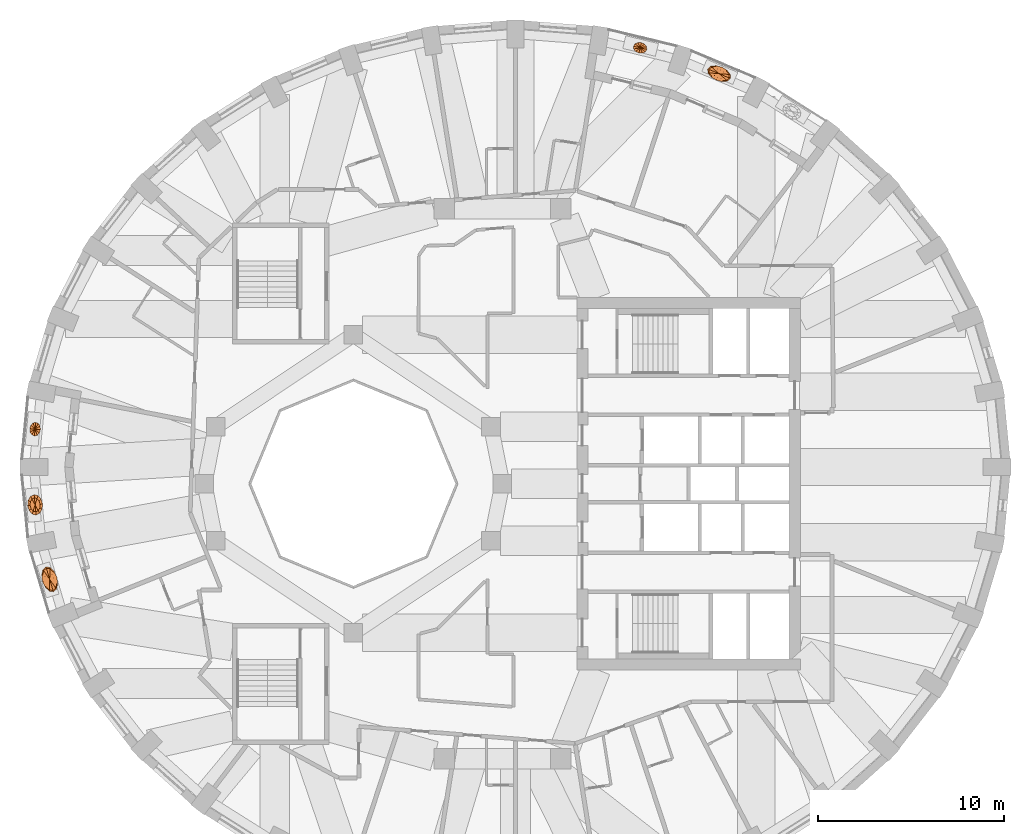
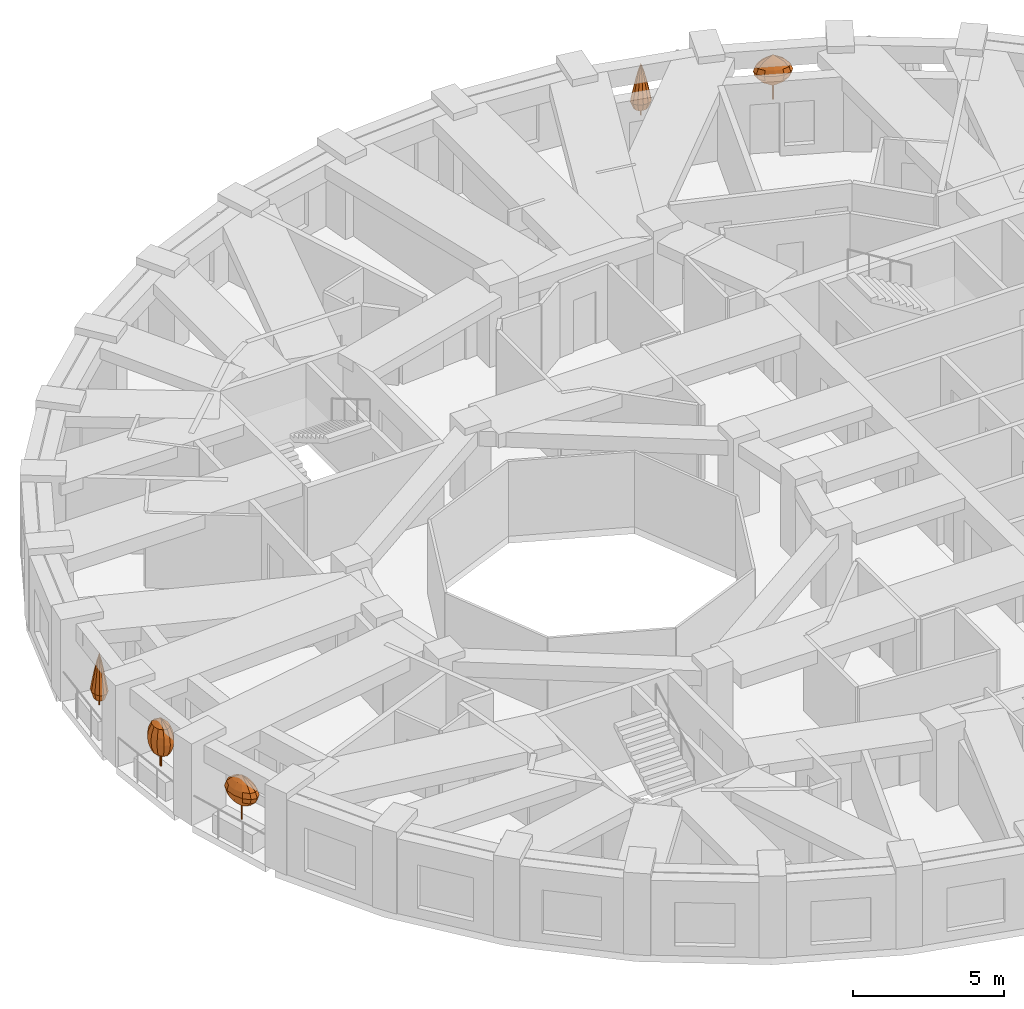
# One storey, part 11 of 12: 5 geographic elements.
"""IFC4 building model written with IfcOpenShell, lengths in metres."""

from ifc_helpers import new_model, si_unit, direction, frame, origin, place, context, subcontext, project, spatial, faceted_brep, material, constituent, constituent_set, type_object, element, save


model = new_model("IFC4")

# Units and contexts
model_context = context("Model", 3, precision=1e-05, world=origin(), true_north=direction((0.0, 1.0)))
body_context = subcontext(model_context, "Body", "Model", "MODEL_VIEW")
ifc_project = project(units=[si_unit("LENGTHUNIT", "METRE"), si_unit("AREAUNIT", "SQUARE_METRE"), si_unit("VOLUMEUNIT", "CUBIC_METRE"), si_unit("PLANEANGLEUNIT", "RADIAN"), si_unit("MASSUNIT", "GRAM", prefix="KILO")], contexts=[model_context])

# Site, building, storey
site_placement = place(None, origin())
site = spatial("IfcSite", under=ifc_project, at=site_placement, CompositionType="ELEMENT")
building_placement = place(site_placement, origin())
building = spatial("IfcBuilding", under=site, at=building_placement, Name="Taillehof Tower", CompositionType="ELEMENT")
storey_placement = place(building_placement, frame((0.0, 0.0, 189.199951171875)))
storey = spatial("IfcBuildingStorey", under=building, at=storey_placement, Name="L53", CompositionType="ELEMENT", Elevation=189.199951171875)

# Geographic elements
ifc_material_1 = material(Name="Tree bark", Category="timber")
ifc_constituent_1 = constituent(ifc_material_1, Name="Trunk", Category="timber")
ifc_material_2 = material(Name="Tree foliage")
ifc_constituent_2 = constituent(ifc_material_2, Name="Crown")
ifc_constituent_set_1 = constituent_set(constituents=[ifc_constituent_1, ifc_constituent_2], Name="Tree TR2 Fastigiate yew")
geographic_element_type_1 = type_object("IfcGeographicElementType", Name="Tree TR2 Fastigiate yew", PredefinedType="USERDEFINED", material=ifc_constituent_set_1)
geographic_element_1_placement = place(storey_placement, frame((-25.089599609375, -1.131591796875, 0.75)))
element("IfcGeographicElement", 1, at=geographic_element_1_placement, inside=storey, type_object=geographic_element_type_1, Name="Tree TR2 Fastigiate yew", ObjectType="TREE", PredefinedType="USERDEFINED", context=body_context, shape_type="Brep", body=[
    faceted_brep([(0.034912109375, 0.0, 0.0), (0.024658203125, 0.024658203125, 0.0), (0.024658203125, 0.024658203125, 0.909912109375), (0.034912109375, 0.0, 0.909912109375), (0.0, 0.034912109375, 0.0), (0.0, 0.034912109375, 0.909912109375), (-0.024658203125, 0.024658203125, 0.0), (-0.024658203125, 0.024658203125, 0.909912109375), (-0.034912109375, 0.0, 0.0), (-0.034912109375, 0.0, 0.909912109375), (-0.024658203125, -0.024658203125, 0.0), (-0.024658203125, -0.024658203125, 0.909912109375), (0.0, -0.034912109375, 0.0), (0.0, -0.034912109375, 0.909912109375), (0.024658203125, -0.024658203125, 0.0), (0.024658203125, -0.024658203125, 0.909912109375)], [[[0, 1, 2, 3]], [[1, 4, 5, 2]], [[4, 6, 7, 5]], [[6, 8, 9, 7]], [[8, 10, 11, 9]], [[10, 12, 13, 11]], [[12, 14, 15, 13]], [[14, 0, 3, 15]], [[14, 12, 10, 8, 6, 4, 1, 0]], [[3, 2, 5, 7, 9, 11, 13, 15]]]),
    faceted_brep([(0.0, 0.0, 0.35009765625), (0.16748046875, -0.310546875, 0.61669921875), (0.036376953125, -0.373779296875, 0.61669921875), (0.253662109375, -0.1640625, 0.61669921875), (0.27197265625, 0.0263671875, 0.61669921875), (0.21728515625, 0.2099609375, 0.61669921875), (0.1044921875, 0.3369140625, 0.61669921875), (-0.036376953125, 0.373779296875, 0.61669921875), (-0.16748046875, 0.310546875, 0.61669921875), (-0.253662109375, 0.1640625, 0.61669921875), (-0.27197265625, -0.0263671875, 0.61669921875), (-0.21728515625, -0.2099609375, 0.61669921875), (-0.1044921875, -0.3369140625, 0.61669921875), (0.2265625, -0.420166015625, 0.88330078125), (0.049072265625, -0.505859375, 0.88330078125), (0.34326171875, -0.221923828125, 0.88330078125), (0.367919921875, 0.035888671875, 0.88330078125), (0.2939453125, 0.283935546875, 0.88330078125), (0.141357421875, 0.455810546875, 0.88330078125), (-0.049072265625, 0.505859375, 0.88330078125), (-0.2265625, 0.420166015625, 0.88330078125), (-0.34326171875, 0.221923828125, 0.88330078125), (-0.367919921875, -0.035888671875, 0.88330078125), (-0.2939453125, -0.283935546875, 0.88330078125), (-0.141357421875, -0.455810546875, 0.88330078125), (0.2451171875, -0.454833984375, 1.14990234375), (0.05322265625, -0.54736328125, 1.14990234375), (0.371337890625, -0.240234375, 1.14990234375), (0.398193359375, 0.038818359375, 1.14990234375), (0.318115234375, 0.30712890625, 1.14990234375), (0.15283203125, 0.493408203125, 1.14990234375), (-0.05322265625, 0.54736328125, 1.14990234375), (-0.2451171875, 0.454833984375, 1.14990234375), (-0.371337890625, 0.240234375, 1.14990234375), (-0.398193359375, -0.038818359375, 1.14990234375), (-0.318115234375, -0.30712890625, 1.14990234375), (-0.15283203125, -0.493408203125, 1.14990234375), (0.2265625, -0.420166015625, 1.416748046875), (0.049072265625, -0.505859375, 1.416748046875), (0.34326171875, -0.221923828125, 1.416748046875), (0.367919921875, 0.035888671875, 1.416748046875), (0.2939453125, 0.283935546875, 1.416748046875), (0.141357421875, 0.455810546875, 1.416748046875), (-0.049072265625, 0.505859375, 1.416748046875), (-0.2265625, 0.420166015625, 1.416748046875), (-0.34326171875, 0.221923828125, 1.416748046875), (-0.367919921875, -0.035888671875, 1.416748046875), (-0.2939453125, -0.283935546875, 1.416748046875), (-0.141357421875, -0.455810546875, 1.416748046875), (0.16748046875, -0.310546875, 1.683349609375), (0.036376953125, -0.373779296875, 1.683349609375), (0.253662109375, -0.1640625, 1.683349609375), (0.27197265625, 0.0263671875, 1.683349609375), (0.21728515625, 0.2099609375, 1.683349609375), (0.1044921875, 0.3369140625, 1.683349609375), (-0.036376953125, 0.373779296875, 1.683349609375), (-0.16748046875, 0.310546875, 1.683349609375), (-0.253662109375, 0.1640625, 1.683349609375), (-0.27197265625, -0.0263671875, 1.683349609375), (-0.21728515625, -0.2099609375, 1.683349609375), (-0.1044921875, -0.3369140625, 1.683349609375), (0.0, 0.0, 1.949951171875)], [[[0, 1, 2]], [[0, 3, 1]], [[0, 4, 3]], [[0, 5, 4]], [[0, 6, 5]], [[0, 7, 6]], [[0, 8, 7]], [[0, 9, 8]], [[0, 10, 9]], [[0, 11, 10]], [[0, 12, 11]], [[0, 2, 12]], [[2, 1, 13, 14]], [[1, 3, 15, 13]], [[3, 4, 16, 15]], [[4, 5, 17, 16]], [[5, 6, 18, 17]], [[6, 7, 19, 18]], [[7, 8, 20, 19]], [[8, 9, 21, 20]], [[9, 10, 22, 21]], [[10, 11, 23, 22]], [[11, 12, 24, 23]], [[12, 2, 14, 24]], [[14, 13, 25, 26]], [[13, 15, 27, 25]], [[15, 16, 28, 27]], [[16, 17, 29, 28]], [[17, 18, 30, 29]], [[18, 19, 31, 30]], [[19, 20, 32, 31]], [[20, 21, 33, 32]], [[21, 22, 34, 33]], [[22, 23, 35, 34]], [[23, 24, 36, 35]], [[24, 14, 26, 36]], [[26, 25, 37, 38]], [[25, 27, 39, 37]], [[27, 28, 40, 39]], [[28, 29, 41, 40]], [[29, 30, 42, 41]], [[30, 31, 43, 42]], [[31, 32, 44, 43]], [[32, 33, 45, 44]], [[33, 34, 46, 45]], [[34, 35, 47, 46]], [[35, 36, 48, 47]], [[36, 26, 38, 48]], [[38, 37, 49, 50]], [[37, 39, 51, 49]], [[39, 40, 52, 51]], [[40, 41, 53, 52]], [[41, 42, 54, 53]], [[42, 43, 55, 54]], [[43, 44, 56, 55]], [[44, 45, 57, 56]], [[45, 46, 58, 57]], [[46, 47, 59, 58]], [[47, 48, 60, 59]], [[48, 38, 50, 60]], [[50, 49, 61]], [[49, 51, 61]], [[51, 52, 61]], [[52, 53, 61]], [[53, 54, 61]], [[54, 55, 61]], [[55, 56, 61]], [[56, 57, 61]], [[57, 58, 61]], [[58, 59, 61]], [[59, 60, 61]], [[60, 50, 61]]]),
])
ifc_material_3 = material(Name="Tree bark", Category="timber")
ifc_constituent_3 = constituent(ifc_material_3, Name="Trunk", Category="timber")
ifc_material_4 = material(Name="Tree foliage")
ifc_constituent_4 = constituent(ifc_material_4, Name="Crown")
ifc_constituent_set_2 = constituent_set(constituents=[ifc_constituent_3, ifc_constituent_4], Name="Tree TR4 Sea buckthorn standard")
geographic_element_type_2 = type_object("IfcGeographicElementType", Name="Tree TR4 Sea buckthorn standard", PredefinedType="USERDEFINED", material=ifc_constituent_set_2)
geographic_element_2_placement = place(storey_placement, frame((11.63720703125, 22.017822265625, 0.75)))
element("IfcGeographicElement", 2, at=geographic_element_2_placement, inside=storey, type_object=geographic_element_type_2, Name="Tree TR4 Sea buckthorn standard", ObjectType="TREE", PredefinedType="USERDEFINED", context=body_context, shape_type="Brep", body=[
    faceted_brep([(0.030029296875, 0.0, 0.0), (0.021240234375, 0.021240234375, 0.0), (0.021240234375, 0.021240234375, 0.98095703125), (0.030029296875, 0.0, 0.98095703125), (0.0, 0.030029296875, 0.0), (0.0, 0.030029296875, 0.98095703125), (-0.021240234375, 0.021240234375, 0.0), (-0.021240234375, 0.021240234375, 0.98095703125), (-0.030029296875, 0.0, 0.0), (-0.030029296875, 0.0, 0.98095703125), (-0.021240234375, -0.021240234375, 0.0), (-0.021240234375, -0.021240234375, 0.98095703125), (0.0, -0.030029296875, 0.0), (0.0, -0.030029296875, 0.98095703125), (0.021240234375, -0.021240234375, 0.0), (0.021240234375, -0.021240234375, 0.98095703125)], [[[0, 1, 2, 3]], [[1, 4, 5, 2]], [[4, 6, 7, 5]], [[6, 8, 9, 7]], [[8, 10, 11, 9]], [[10, 12, 13, 11]], [[12, 14, 15, 13]], [[14, 0, 3, 15]], [[14, 12, 10, 8, 6, 4, 1, 0]], [[3, 2, 5, 7, 9, 11, 13, 15]]]),
    faceted_brep([(0.0, 0.0, 0.5400390625), (-0.34716796875, 0.02734375, 0.75), (-0.352294921875, 0.147705078125, 0.75), (-0.249267578125, -0.100341796875, 0.75), (-0.08447265625, -0.201171875, 0.75), (0.10302734375, -0.248046875, 0.75), (0.2626953125, -0.228515625, 0.75), (0.352294921875, -0.147705078125, 0.75), (0.34716796875, -0.02734375, 0.75), (0.249267578125, 0.100341796875, 0.75), (0.08447265625, 0.201171875, 0.75), (-0.10302734375, 0.248046875, 0.75), (-0.2626953125, 0.228515625, 0.75), (-0.538818359375, 0.04248046875, 0.9599609375), (-0.546630859375, 0.229248046875, 0.9599609375), (-0.38671875, -0.15576171875, 0.9599609375), (-0.131103515625, -0.312255859375, 0.9599609375), (0.159912109375, -0.385009765625, 0.9599609375), (0.407958984375, -0.354736328125, 0.9599609375), (0.546630859375, -0.229248046875, 0.9599609375), (0.538818359375, -0.04248046875, 0.9599609375), (0.38671875, 0.15576171875, 0.9599609375), (0.131103515625, 0.312255859375, 0.9599609375), (-0.159912109375, 0.385009765625, 0.9599609375), (-0.407958984375, 0.354736328125, 0.9599609375), (-0.6044921875, 0.047607421875, 1.169921875), (-0.61328125, 0.25732421875, 1.169921875), (-0.433837890625, -0.1748046875, 1.169921875), (-0.14697265625, -0.350341796875, 1.169921875), (0.179443359375, -0.43212890625, 1.169921875), (0.45751953125, -0.39794921875, 1.169921875), (0.61328125, -0.25732421875, 1.169921875), (0.6044921875, -0.047607421875, 1.169921875), (0.433837890625, 0.1748046875, 1.169921875), (0.14697265625, 0.350341796875, 1.169921875), (-0.179443359375, 0.43212890625, 1.169921875), (-0.45751953125, 0.39794921875, 1.169921875), (-0.538818359375, 0.04248046875, 1.3798828125), (-0.546630859375, 0.229248046875, 1.3798828125), (-0.38671875, -0.15576171875, 1.3798828125), (-0.131103515625, -0.312255859375, 1.3798828125), (0.159912109375, -0.385009765625, 1.3798828125), (0.407958984375, -0.354736328125, 1.3798828125), (0.546630859375, -0.229248046875, 1.3798828125), (0.538818359375, -0.04248046875, 1.3798828125), (0.38671875, 0.15576171875, 1.3798828125), (0.131103515625, 0.312255859375, 1.3798828125), (-0.159912109375, 0.385009765625, 1.3798828125), (-0.407958984375, 0.354736328125, 1.3798828125), (-0.34716796875, 0.02734375, 1.590087890625), (-0.352294921875, 0.147705078125, 1.590087890625), (-0.249267578125, -0.100341796875, 1.590087890625), (-0.08447265625, -0.201171875, 1.590087890625), (0.10302734375, -0.248046875, 1.590087890625), (0.2626953125, -0.228515625, 1.590087890625), (0.352294921875, -0.147705078125, 1.590087890625), (0.34716796875, -0.02734375, 1.590087890625), (0.249267578125, 0.100341796875, 1.590087890625), (0.08447265625, 0.201171875, 1.590087890625), (-0.10302734375, 0.248046875, 1.590087890625), (-0.2626953125, 0.228515625, 1.590087890625), (0.0, 0.0, 1.800048828125)], [[[0, 1, 2]], [[0, 3, 1]], [[0, 4, 3]], [[0, 5, 4]], [[0, 6, 5]], [[0, 7, 6]], [[0, 8, 7]], [[0, 9, 8]], [[0, 10, 9]], [[0, 11, 10]], [[0, 12, 11]], [[0, 2, 12]], [[2, 1, 13, 14]], [[1, 3, 15, 13]], [[3, 4, 16, 15]], [[4, 5, 17, 16]], [[5, 6, 18, 17]], [[6, 7, 19, 18]], [[7, 8, 20, 19]], [[8, 9, 21, 20]], [[9, 10, 22, 21]], [[10, 11, 23, 22]], [[11, 12, 24, 23]], [[12, 2, 14, 24]], [[14, 13, 25, 26]], [[13, 15, 27, 25]], [[15, 16, 28, 27]], [[16, 17, 29, 28]], [[17, 18, 30, 29]], [[18, 19, 31, 30]], [[19, 20, 32, 31]], [[20, 21, 33, 32]], [[21, 22, 34, 33]], [[22, 23, 35, 34]], [[23, 24, 36, 35]], [[24, 14, 26, 36]], [[26, 25, 37, 38]], [[25, 27, 39, 37]], [[27, 28, 40, 39]], [[28, 29, 41, 40]], [[29, 30, 42, 41]], [[30, 31, 43, 42]], [[31, 32, 44, 43]], [[32, 33, 45, 44]], [[33, 34, 46, 45]], [[34, 35, 47, 46]], [[35, 36, 48, 47]], [[36, 26, 38, 48]], [[38, 37, 49, 50]], [[37, 39, 51, 49]], [[39, 40, 52, 51]], [[40, 41, 53, 52]], [[41, 42, 54, 53]], [[42, 43, 55, 54]], [[43, 44, 56, 55]], [[44, 45, 57, 56]], [[45, 46, 58, 57]], [[46, 47, 59, 58]], [[47, 48, 60, 59]], [[48, 38, 50, 60]], [[50, 49, 61]], [[49, 51, 61]], [[51, 52, 61]], [[52, 53, 61]], [[53, 54, 61]], [[54, 55, 61]], [[55, 56, 61]], [[56, 57, 61]], [[57, 58, 61]], [[58, 59, 61]], [[59, 60, 61]], [[60, 50, 61]]]),
])
geographic_element_3_placement = place(storey_placement, frame((-24.305419921875, -5.1328125, 0.75)))
element("IfcGeographicElement", 3, at=geographic_element_3_placement, inside=storey, type_object=geographic_element_type_2, Name="Tree TR4 Sea buckthorn standard", ObjectType="TREE", PredefinedType="USERDEFINED", context=body_context, shape_type="Brep", body=[
    faceted_brep([(0.030029296875, 0.0, 0.0), (0.021240234375, 0.021240234375, 0.0), (0.021240234375, 0.021240234375, 0.98095703125), (0.030029296875, 0.0, 0.98095703125), (0.0, 0.030029296875, 0.0), (0.0, 0.030029296875, 0.98095703125), (-0.021240234375, 0.021240234375, 0.0), (-0.021240234375, 0.021240234375, 0.98095703125), (-0.030029296875, 0.0, 0.0), (-0.030029296875, 0.0, 0.98095703125), (-0.021240234375, -0.021240234375, 0.0), (-0.021240234375, -0.021240234375, 0.98095703125), (0.0, -0.030029296875, 0.0), (0.0, -0.030029296875, 0.98095703125), (0.021240234375, -0.021240234375, 0.0), (0.021240234375, -0.021240234375, 0.98095703125)], [[[0, 1, 2, 3]], [[1, 4, 5, 2]], [[4, 6, 7, 5]], [[6, 8, 9, 7]], [[8, 10, 11, 9]], [[10, 12, 13, 11]], [[12, 14, 15, 13]], [[14, 0, 3, 15]], [[14, 12, 10, 8, 6, 4, 1, 0]], [[3, 2, 5, 7, 9, 11, 13, 15]]]),
    faceted_brep([(0.0, 0.0, 0.5400390625), (0.20947265625, -0.30078125, 0.75), (0.11474609375, -0.38525390625, 0.75), (0.248046875, -0.1357421875, 0.75), (0.22021484375, 0.065673828125, 0.75), (0.13330078125, 0.24951171875, 0.75), (0.0107421875, 0.366455078125, 0.75), (-0.11474609375, 0.38525390625, 0.75), (-0.20947265625, 0.30078125, 0.75), (-0.248046875, 0.1357421875, 0.75), (-0.22021484375, -0.065673828125, 0.75), (-0.13330078125, -0.24951171875, 0.75), (-0.0107421875, -0.366455078125, 0.75), (0.3251953125, -0.467041015625, 0.9599609375), (0.17822265625, -0.597900390625, 0.9599609375), (0.385009765625, -0.2109375, 0.9599609375), (0.341796875, 0.101806640625, 0.9599609375), (0.206787109375, 0.38720703125, 0.9599609375), (0.0166015625, 0.56884765625, 0.9599609375), (-0.17822265625, 0.597900390625, 0.9599609375), (-0.3251953125, 0.467041015625, 0.9599609375), (-0.385009765625, 0.2109375, 0.9599609375), (-0.341796875, -0.101806640625, 0.9599609375), (-0.206787109375, -0.38720703125, 0.9599609375), (-0.0166015625, -0.56884765625, 0.9599609375), (0.36474609375, -0.52392578125, 1.169921875), (0.199951171875, -0.6708984375, 1.169921875), (0.431884765625, -0.236572265625, 1.169921875), (0.38330078125, 0.1142578125, 1.169921875), (0.232177734375, 0.434326171875, 1.169921875), (0.0185546875, 0.63818359375, 1.169921875), (-0.199951171875, 0.6708984375, 1.169921875), (-0.36474609375, 0.52392578125, 1.169921875), (-0.431884765625, 0.236572265625, 1.169921875), (-0.38330078125, -0.1142578125, 1.169921875), (-0.232177734375, -0.434326171875, 1.169921875), (-0.0185546875, -0.63818359375, 1.169921875), (0.3251953125, -0.467041015625, 1.3798828125), (0.17822265625, -0.597900390625, 1.3798828125), (0.385009765625, -0.2109375, 1.3798828125), (0.341796875, 0.101806640625, 1.3798828125), (0.206787109375, 0.38720703125, 1.3798828125), (0.0166015625, 0.56884765625, 1.3798828125), (-0.17822265625, 0.597900390625, 1.3798828125), (-0.3251953125, 0.467041015625, 1.3798828125), (-0.385009765625, 0.2109375, 1.3798828125), (-0.341796875, -0.101806640625, 1.3798828125), (-0.206787109375, -0.38720703125, 1.3798828125), (-0.0166015625, -0.56884765625, 1.3798828125), (0.20947265625, -0.30078125, 1.590087890625), (0.11474609375, -0.38525390625, 1.590087890625), (0.248046875, -0.1357421875, 1.590087890625), (0.22021484375, 0.065673828125, 1.590087890625), (0.13330078125, 0.24951171875, 1.590087890625), (0.0107421875, 0.366455078125, 1.590087890625), (-0.11474609375, 0.38525390625, 1.590087890625), (-0.20947265625, 0.30078125, 1.590087890625), (-0.248046875, 0.1357421875, 1.590087890625), (-0.22021484375, -0.065673828125, 1.590087890625), (-0.13330078125, -0.24951171875, 1.590087890625), (-0.0107421875, -0.366455078125, 1.590087890625), (0.0, 0.0, 1.800048828125)], [[[0, 1, 2]], [[0, 3, 1]], [[0, 4, 3]], [[0, 5, 4]], [[0, 6, 5]], [[0, 7, 6]], [[0, 8, 7]], [[0, 9, 8]], [[0, 10, 9]], [[0, 11, 10]], [[0, 12, 11]], [[0, 2, 12]], [[2, 1, 13, 14]], [[1, 3, 15, 13]], [[3, 4, 16, 15]], [[4, 5, 17, 16]], [[5, 6, 18, 17]], [[6, 7, 19, 18]], [[7, 8, 20, 19]], [[8, 9, 21, 20]], [[9, 10, 22, 21]], [[10, 11, 23, 22]], [[11, 12, 24, 23]], [[12, 2, 14, 24]], [[14, 13, 25, 26]], [[13, 15, 27, 25]], [[15, 16, 28, 27]], [[16, 17, 29, 28]], [[17, 18, 30, 29]], [[18, 19, 31, 30]], [[19, 20, 32, 31]], [[20, 21, 33, 32]], [[21, 22, 34, 33]], [[22, 23, 35, 34]], [[23, 24, 36, 35]], [[24, 14, 26, 36]], [[26, 25, 37, 38]], [[25, 27, 39, 37]], [[27, 28, 40, 39]], [[28, 29, 41, 40]], [[29, 30, 42, 41]], [[30, 31, 43, 42]], [[31, 32, 44, 43]], [[32, 33, 45, 44]], [[33, 34, 46, 45]], [[34, 35, 47, 46]], [[35, 36, 48, 47]], [[36, 26, 38, 48]], [[38, 37, 49, 50]], [[37, 39, 51, 49]], [[39, 40, 52, 51]], [[40, 41, 53, 52]], [[41, 42, 54, 53]], [[42, 43, 55, 54]], [[43, 44, 56, 55]], [[44, 45, 57, 56]], [[45, 46, 58, 57]], [[46, 47, 59, 58]], [[47, 48, 60, 59]], [[48, 38, 50, 60]], [[50, 49, 61]], [[49, 51, 61]], [[51, 52, 61]], [[52, 53, 61]], [[53, 54, 61]], [[54, 55, 61]], [[55, 56, 61]], [[56, 57, 61]], [[57, 58, 61]], [[58, 59, 61]], [[59, 60, 61]], [[60, 50, 61]]]),
])
ifc_material_5 = material(Name="Tree bark", Category="timber")
ifc_constituent_5 = constituent(ifc_material_5, Name="Trunk", Category="timber")
ifc_material_6 = material(Name="Tree foliage")
ifc_constituent_6 = constituent(ifc_material_6, Name="Crown")
ifc_constituent_set_3 = constituent_set(constituents=[ifc_constituent_5, ifc_constituent_6], Name="Tree TR5 Columnar juniper")
geographic_element_type_3 = type_object("IfcGeographicElementType", Name="Tree TR5 Columnar juniper", PredefinedType="USERDEFINED", material=ifc_constituent_set_3)
geographic_element_4_placement = place(storey_placement, frame((7.39794921875, 23.406005859375, 0.75)))
element("IfcGeographicElement", 4, at=geographic_element_4_placement, inside=storey, type_object=geographic_element_type_3, Name="Tree TR5 Columnar juniper", ObjectType="TREE", PredefinedType="USERDEFINED", context=body_context, shape_type="Brep", body=[
    faceted_brep([(0.02490234375, 0.0, 0.0), (0.017578125, 0.017578125, 0.0), (0.017578125, 0.017578125, 0.929931640625), (0.02490234375, 0.0, 0.929931640625), (0.0, 0.02490234375, 0.0), (0.0, 0.02490234375, 0.929931640625), (-0.017578125, 0.017578125, 0.0), (-0.017578125, 0.017578125, 0.929931640625), (-0.02490234375, 0.0, 0.0), (-0.02490234375, 0.0, 0.929931640625), (-0.017578125, -0.017578125, 0.0), (-0.017578125, -0.017578125, 0.929931640625), (0.0, -0.02490234375, 0.0), (0.0, -0.02490234375, 0.929931640625), (0.017578125, -0.017578125, 0.0), (0.017578125, -0.017578125, 0.929931640625)], [[[0, 1, 2, 3]], [[1, 4, 5, 2]], [[4, 6, 7, 5]], [[6, 8, 9, 7]], [[8, 10, 11, 9]], [[10, 12, 13, 11]], [[12, 14, 15, 13]], [[14, 0, 3, 15]], [[14, 12, 10, 8, 6, 4, 1, 0]], [[3, 2, 5, 7, 9, 11, 13, 15]]]),
    faceted_brep([(-0.24072265625, 0.05810546875, 0.300048828125), (-0.23095703125, -0.04345703125, 0.300048828125), (-0.3447265625, -0.064697265625, 0.60009765625), (-0.359130859375, 0.086669921875, 0.60009765625), (-0.159423828125, -0.133056640625, 0.300048828125), (-0.23779296875, -0.19873046875, 0.60009765625), (-0.045166015625, -0.187255859375, 0.300048828125), (-0.0673828125, -0.279296875, 0.60009765625), (0.081298828125, -0.191162109375, 0.300048828125), (0.121337890625, -0.28515625, 0.60009765625), (0.185791015625, -0.143798828125, 0.300048828125), (0.27734375, -0.214599609375, 0.60009765625), (0.24072265625, -0.05810546875, 0.300048828125), (0.359130859375, -0.086669921875, 0.60009765625), (0.23095703125, 0.04345703125, 0.300048828125), (0.3447265625, 0.064697265625, 0.60009765625), (0.159423828125, 0.133056640625, 0.300048828125), (0.23779296875, 0.19873046875, 0.60009765625), (0.045166015625, 0.187255859375, 0.300048828125), (0.0673828125, 0.279296875, 0.60009765625), (-0.081298828125, 0.191162109375, 0.300048828125), (-0.121337890625, 0.28515625, 0.60009765625), (-0.185791015625, 0.143798828125, 0.300048828125), (-0.27734375, 0.214599609375, 0.60009765625), (-0.288330078125, -0.05419921875, 0.89990234375), (-0.300537109375, 0.072509765625, 0.89990234375), (-0.198974609375, -0.166259765625, 0.89990234375), (-0.056396484375, -0.233642578125, 0.89990234375), (0.1015625, -0.238525390625, 0.89990234375), (0.23193359375, -0.1796875, 0.89990234375), (0.300537109375, -0.072509765625, 0.89990234375), (0.288330078125, 0.05419921875, 0.89990234375), (0.198974609375, 0.166259765625, 0.89990234375), (0.056396484375, 0.233642578125, 0.89990234375), (-0.1015625, 0.238525390625, 0.89990234375), (-0.23193359375, 0.1796875, 0.89990234375), (-0.22900390625, -0.04296875, 1.199951171875), (-0.23876953125, 0.0576171875, 1.199951171875), (-0.158203125, -0.132080078125, 1.199951171875), (-0.044677734375, -0.185546875, 1.199951171875), (0.08056640625, -0.189453125, 1.199951171875), (0.184326171875, -0.142578125, 1.199951171875), (0.23876953125, -0.0576171875, 1.199951171875), (0.22900390625, 0.04296875, 1.199951171875), (0.158203125, 0.132080078125, 1.199951171875), (0.044677734375, 0.185546875, 1.199951171875), (-0.08056640625, 0.189453125, 1.199951171875), (-0.184326171875, 0.142578125, 1.199951171875), (-0.16552734375, -0.031005859375, 1.5), (-0.172607421875, 0.04150390625, 1.5), (-0.1142578125, -0.095458984375, 1.5), (-0.032470703125, -0.13427734375, 1.5), (0.058349609375, -0.136962890625, 1.5), (0.13330078125, -0.10302734375, 1.5), (0.172607421875, -0.04150390625, 1.5), (0.16552734375, 0.031005859375, 1.5), (0.1142578125, 0.095458984375, 1.5), (0.032470703125, 0.13427734375, 1.5), (-0.058349609375, 0.136962890625, 1.5), (-0.13330078125, 0.10302734375, 1.5), (-0.09521484375, -0.017822265625, 1.800048828125), (-0.09912109375, 0.02392578125, 1.800048828125), (-0.065673828125, -0.054931640625, 1.800048828125), (-0.0185546875, -0.0771484375, 1.800048828125), (0.033447265625, -0.07861328125, 1.800048828125), (0.07666015625, -0.059326171875, 1.800048828125), (0.09912109375, -0.02392578125, 1.800048828125), (0.09521484375, 0.017822265625, 1.800048828125), (0.065673828125, 0.054931640625, 1.800048828125), (0.0185546875, 0.0771484375, 1.800048828125), (-0.033447265625, 0.07861328125, 1.800048828125), (-0.07666015625, 0.059326171875, 1.800048828125), (0.0, 0.0, 2.10009765625)], [[[0, 1, 2, 3]], [[1, 4, 5, 2]], [[4, 6, 7, 5]], [[6, 8, 9, 7]], [[8, 10, 11, 9]], [[10, 12, 13, 11]], [[12, 14, 15, 13]], [[14, 16, 17, 15]], [[16, 18, 19, 17]], [[18, 20, 21, 19]], [[20, 22, 23, 21]], [[22, 0, 3, 23]], [[3, 2, 24, 25]], [[2, 5, 26, 24]], [[5, 7, 27, 26]], [[7, 9, 28, 27]], [[9, 11, 29, 28]], [[11, 13, 30, 29]], [[13, 15, 31, 30]], [[15, 17, 32, 31]], [[17, 19, 33, 32]], [[19, 21, 34, 33]], [[21, 23, 35, 34]], [[23, 3, 25, 35]], [[25, 24, 36, 37]], [[24, 26, 38, 36]], [[26, 27, 39, 38]], [[27, 28, 40, 39]], [[28, 29, 41, 40]], [[29, 30, 42, 41]], [[30, 31, 43, 42]], [[31, 32, 44, 43]], [[32, 33, 45, 44]], [[33, 34, 46, 45]], [[34, 35, 47, 46]], [[35, 25, 37, 47]], [[37, 36, 48, 49]], [[36, 38, 50, 48]], [[38, 39, 51, 50]], [[39, 40, 52, 51]], [[40, 41, 53, 52]], [[41, 42, 54, 53]], [[42, 43, 55, 54]], [[43, 44, 56, 55]], [[44, 45, 57, 56]], [[45, 46, 58, 57]], [[46, 47, 59, 58]], [[47, 37, 49, 59]], [[49, 48, 60, 61]], [[48, 50, 62, 60]], [[50, 51, 63, 62]], [[51, 52, 64, 63]], [[52, 53, 65, 64]], [[53, 54, 66, 65]], [[54, 55, 67, 66]], [[55, 56, 68, 67]], [[56, 57, 69, 68]], [[57, 58, 70, 69]], [[58, 59, 71, 70]], [[59, 49, 61, 71]], [[61, 60, 72]], [[60, 62, 72]], [[62, 63, 72]], [[63, 64, 72]], [[64, 65, 72]], [[65, 66, 72]], [[66, 67, 72]], [[67, 68, 72]], [[68, 69, 72]], [[69, 70, 72]], [[70, 71, 72]], [[71, 61, 72]], [[22, 20, 18, 16, 14, 12, 10, 8, 6, 4, 1, 0]]]),
])
geographic_element_5_placement = place(storey_placement, frame((-25.089599609375, 2.931640625, 0.75)))
element("IfcGeographicElement", 5, at=geographic_element_5_placement, inside=storey, type_object=geographic_element_type_3, Name="Tree TR5 Columnar juniper", ObjectType="TREE", PredefinedType="USERDEFINED", context=body_context, shape_type="Brep", body=[
    faceted_brep([(0.02490234375, 0.0, 0.0), (0.017578125, 0.017578125, 0.0), (0.017578125, 0.017578125, 0.929931640625), (0.02490234375, 0.0, 0.929931640625), (0.0, 0.02490234375, 0.0), (0.0, 0.02490234375, 0.929931640625), (-0.017578125, 0.017578125, 0.0), (-0.017578125, 0.017578125, 0.929931640625), (-0.02490234375, 0.0, 0.0), (-0.02490234375, 0.0, 0.929931640625), (-0.017578125, -0.017578125, 0.0), (-0.017578125, -0.017578125, 0.929931640625), (0.0, -0.02490234375, 0.0), (0.0, -0.02490234375, 0.929931640625), (0.017578125, -0.017578125, 0.0), (0.017578125, -0.017578125, 0.929931640625)], [[[0, 1, 2, 3]], [[1, 4, 5, 2]], [[4, 6, 7, 5]], [[6, 8, 9, 7]], [[8, 10, 11, 9]], [[10, 12, 13, 11]], [[12, 14, 15, 13]], [[14, 0, 3, 15]], [[14, 12, 10, 8, 6, 4, 1, 0]], [[3, 2, 5, 7, 9, 11, 13, 15]]]),
    faceted_brep([(-0.02392578125, -0.246337890625, 0.300048828125), (0.074951171875, -0.22265625, 0.300048828125), (0.112060546875, -0.332275390625, 0.60009765625), (-0.03564453125, -0.36767578125, 0.60009765625), (0.154052734375, -0.139404296875, 0.300048828125), (0.229736328125, -0.2080078125, 0.60009765625), (0.191650390625, -0.0185546875, 0.300048828125), (0.2861328125, -0.02783203125, 0.60009765625), (0.177978515625, 0.10693359375, 0.300048828125), (0.265625, 0.15966796875, 0.60009765625), (0.116455078125, 0.2041015625, 0.300048828125), (0.174072265625, 0.3046875, 0.60009765625), (0.02392578125, 0.246337890625, 0.300048828125), (0.03564453125, 0.36767578125, 0.60009765625), (-0.074951171875, 0.22265625, 0.300048828125), (-0.112060546875, 0.332275390625, 0.60009765625), (-0.154052734375, 0.139404296875, 0.300048828125), (-0.229736328125, 0.2080078125, 0.60009765625), (-0.191650390625, 0.0185546875, 0.300048828125), (-0.2861328125, 0.02783203125, 0.60009765625), (-0.177978515625, -0.10693359375, 0.300048828125), (-0.265625, -0.15966796875, 0.60009765625), (-0.116455078125, -0.2041015625, 0.300048828125), (-0.174072265625, -0.3046875, 0.60009765625), (0.09375, -0.278076171875, 0.89990234375), (-0.030029296875, -0.3076171875, 0.89990234375), (0.192138671875, -0.174072265625, 0.89990234375), (0.2392578125, -0.023193359375, 0.89990234375), (0.22216796875, 0.133544921875, 0.89990234375), (0.1455078125, 0.2548828125, 0.89990234375), (0.030029296875, 0.3076171875, 0.89990234375), (-0.09375, 0.278076171875, 0.89990234375), (-0.192138671875, 0.174072265625, 0.89990234375), (-0.2392578125, 0.023193359375, 0.89990234375), (-0.22216796875, -0.133544921875, 0.89990234375), (-0.1455078125, -0.2548828125, 0.89990234375), (0.074462890625, -0.220947265625, 1.199951171875), (-0.023681640625, -0.244384765625, 1.199951171875), (0.15283203125, -0.13818359375, 1.199951171875), (0.190185546875, -0.0185546875, 1.199951171875), (0.176513671875, 0.106201171875, 1.199951171875), (0.11572265625, 0.202392578125, 1.199951171875), (0.023681640625, 0.244384765625, 1.199951171875), (-0.074462890625, 0.220947265625, 1.199951171875), (-0.15283203125, 0.13818359375, 1.199951171875), (-0.190185546875, 0.0185546875, 1.199951171875), (-0.176513671875, -0.106201171875, 1.199951171875), (-0.11572265625, -0.202392578125, 1.199951171875), (0.0537109375, -0.15966796875, 1.5), (-0.01708984375, -0.1767578125, 1.5), (0.1103515625, -0.099853515625, 1.5), (0.137451171875, -0.013427734375, 1.5), (0.127685546875, 0.07666015625, 1.5), (0.08349609375, 0.146240234375, 1.5), (0.01708984375, 0.1767578125, 1.5), (-0.0537109375, 0.15966796875, 1.5), (-0.1103515625, 0.099853515625, 1.5), (-0.137451171875, 0.013427734375, 1.5), (-0.127685546875, -0.07666015625, 1.5), (-0.08349609375, -0.146240234375, 1.5), (0.031005859375, -0.091796875, 1.800048828125), (-0.009765625, -0.1015625, 1.800048828125), (0.0634765625, -0.057373046875, 1.800048828125), (0.078857421875, -0.007568359375, 1.800048828125), (0.0732421875, 0.044189453125, 1.800048828125), (0.048095703125, 0.083984375, 1.800048828125), (0.009765625, 0.1015625, 1.800048828125), (-0.031005859375, 0.091796875, 1.800048828125), (-0.0634765625, 0.057373046875, 1.800048828125), (-0.078857421875, 0.007568359375, 1.800048828125), (-0.0732421875, -0.044189453125, 1.800048828125), (-0.048095703125, -0.083984375, 1.800048828125), (0.0, 0.0, 2.10009765625)], [[[0, 1, 2, 3]], [[1, 4, 5, 2]], [[4, 6, 7, 5]], [[6, 8, 9, 7]], [[8, 10, 11, 9]], [[10, 12, 13, 11]], [[12, 14, 15, 13]], [[14, 16, 17, 15]], [[16, 18, 19, 17]], [[18, 20, 21, 19]], [[20, 22, 23, 21]], [[22, 0, 3, 23]], [[3, 2, 24, 25]], [[2, 5, 26, 24]], [[5, 7, 27, 26]], [[7, 9, 28, 27]], [[9, 11, 29, 28]], [[11, 13, 30, 29]], [[13, 15, 31, 30]], [[15, 17, 32, 31]], [[17, 19, 33, 32]], [[19, 21, 34, 33]], [[21, 23, 35, 34]], [[23, 3, 25, 35]], [[25, 24, 36, 37]], [[24, 26, 38, 36]], [[26, 27, 39, 38]], [[27, 28, 40, 39]], [[28, 29, 41, 40]], [[29, 30, 42, 41]], [[30, 31, 43, 42]], [[31, 32, 44, 43]], [[32, 33, 45, 44]], [[33, 34, 46, 45]], [[34, 35, 47, 46]], [[35, 25, 37, 47]], [[37, 36, 48, 49]], [[36, 38, 50, 48]], [[38, 39, 51, 50]], [[39, 40, 52, 51]], [[40, 41, 53, 52]], [[41, 42, 54, 53]], [[42, 43, 55, 54]], [[43, 44, 56, 55]], [[44, 45, 57, 56]], [[45, 46, 58, 57]], [[46, 47, 59, 58]], [[47, 37, 49, 59]], [[49, 48, 60, 61]], [[48, 50, 62, 60]], [[50, 51, 63, 62]], [[51, 52, 64, 63]], [[52, 53, 65, 64]], [[53, 54, 66, 65]], [[54, 55, 67, 66]], [[55, 56, 68, 67]], [[56, 57, 69, 68]], [[57, 58, 70, 69]], [[58, 59, 71, 70]], [[59, 49, 61, 71]], [[61, 60, 72]], [[60, 62, 72]], [[62, 63, 72]], [[63, 64, 72]], [[64, 65, 72]], [[65, 66, 72]], [[66, 67, 72]], [[67, 68, 72]], [[68, 69, 72]], [[69, 70, 72]], [[70, 71, 72]], [[71, 61, 72]], [[22, 20, 18, 16, 14, 12, 10, 8, 6, 4, 1, 0]]]),
])

save(model, "model.ifc")
